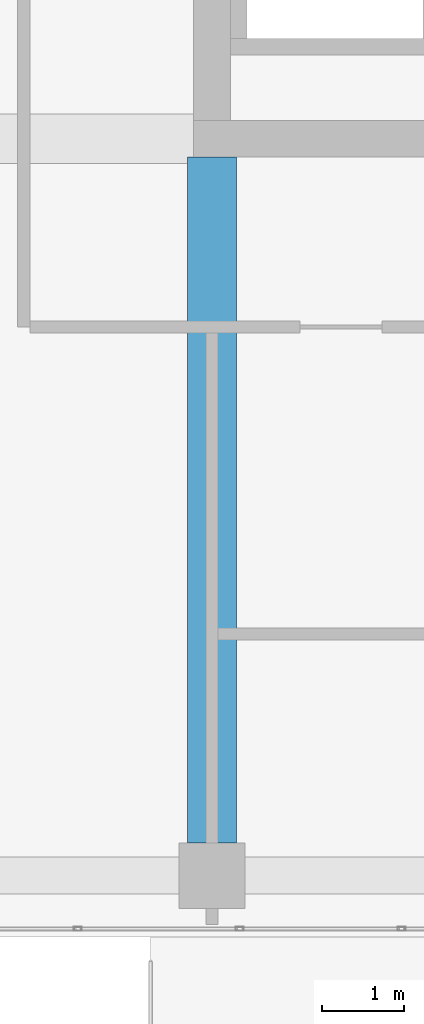
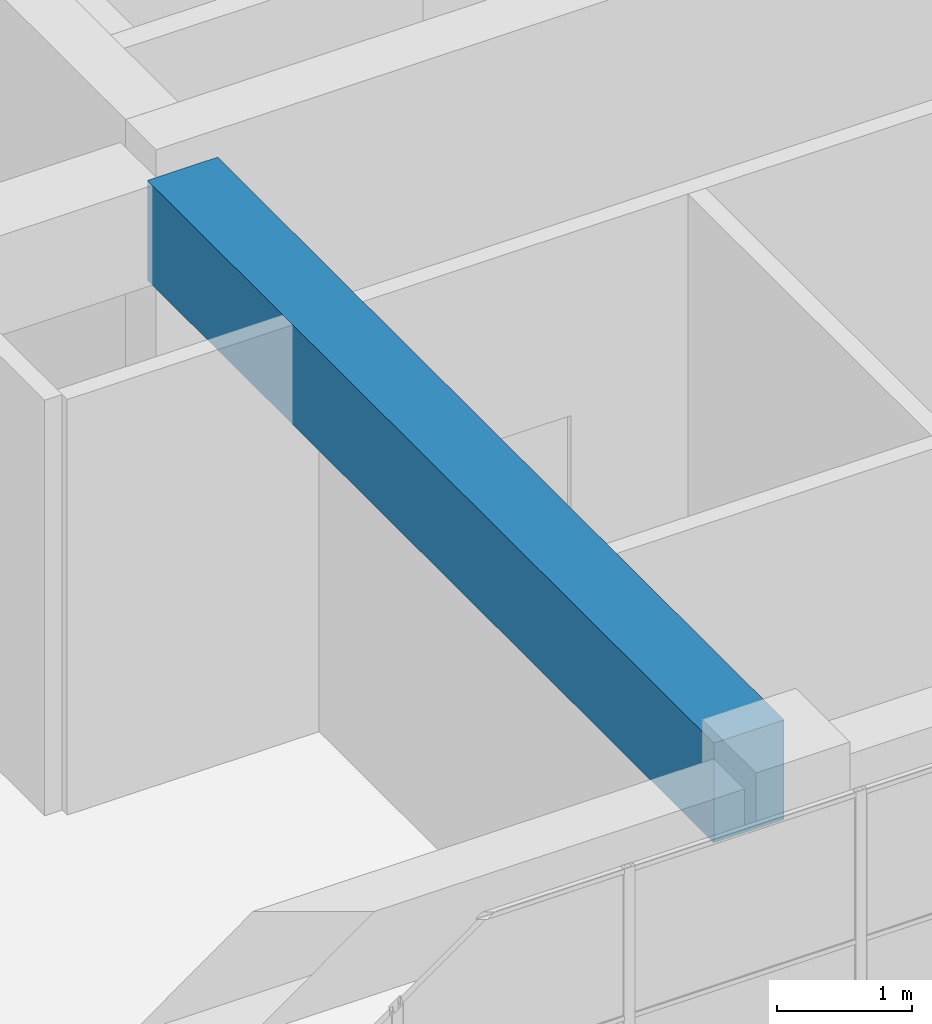
# One storey, part 36 of 81: 1 beam.
"""IFC4 building model written with IfcOpenShell, lengths in metres."""

from ifc_helpers import new_model, si_unit, direction, frame, origin, origin_2d, place, context, subcontext, project, spatial, rectangle, extrude, material, material_profile, profile_set, type_object, element, save


model = new_model("IFC4")

# Units and contexts
model_context = context("Model", 3, precision=1e-05, world=origin(), true_north=direction((0.0, 1.0)))
body_context = subcontext(model_context, "Body", "Model", "MODEL_VIEW")
ifc_project = project(units=[si_unit("LENGTHUNIT", "METRE"), si_unit("AREAUNIT", "SQUARE_METRE"), si_unit("VOLUMEUNIT", "CUBIC_METRE"), si_unit("PLANEANGLEUNIT", "RADIAN"), si_unit("MASSUNIT", "GRAM", prefix="KILO")], contexts=[model_context])

# Site, building, storey
site_placement = place(None, origin())
site = spatial("IfcSite", under=ifc_project, at=site_placement, CompositionType="ELEMENT")
building_placement = place(site_placement, origin())
building = spatial("IfcBuilding", under=site, at=building_placement, Name="Tuart Plaza Theatre", CompositionType="ELEMENT")
storey_placement = place(building_placement, frame((0.0, 0.0, 17.5)))
storey = spatial("IfcBuildingStorey", under=building, at=storey_placement, Name="L04", CompositionType="ELEMENT", Elevation=17.5)

# Beam
ifc_material = material(Name="Concrete N40 (40 MPa)", Category="concrete")
ifc_material_profile = material_profile(ifc_material, rectangle(XDim=0.60009765625, YDim=0.89990234375, at=origin_2d()), Name="BEAM 600x900 Concrete N40 (40 MPa)")
ifc_profile_set = profile_set([ifc_material_profile], Name="Concrete N40 (40 MPa)")
beam_type = type_object("IfcBeamType", Name="BEAM 600x900 Concrete N40 (40 MPa)", PredefinedType="BEAM", material=ifc_profile_set)
beam_placement = place(storey_placement, frame((123.0, 56.39990234375, 3.300048828125), z_axis=(0.0, 1.0, 0.0), x_axis=(-1.0, 0.0, 0.0)))
element("IfcBeam", 1, at=beam_placement, inside=storey, type_object=beam_type, Name="RB216", PredefinedType="BEAM", context=body_context, shape_type="SweptSolid", body=[
    extrude(rectangle(XDim=0.60009765625, YDim=0.89990234375, at=origin_2d()), origin(), (0.0, 0.0, 1.0), 8.375),
])

save(model, "model.ifc")
